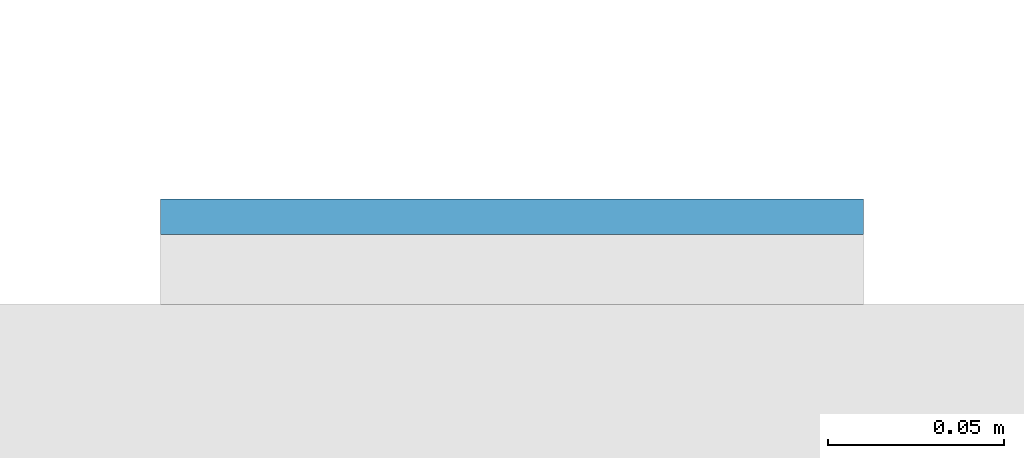
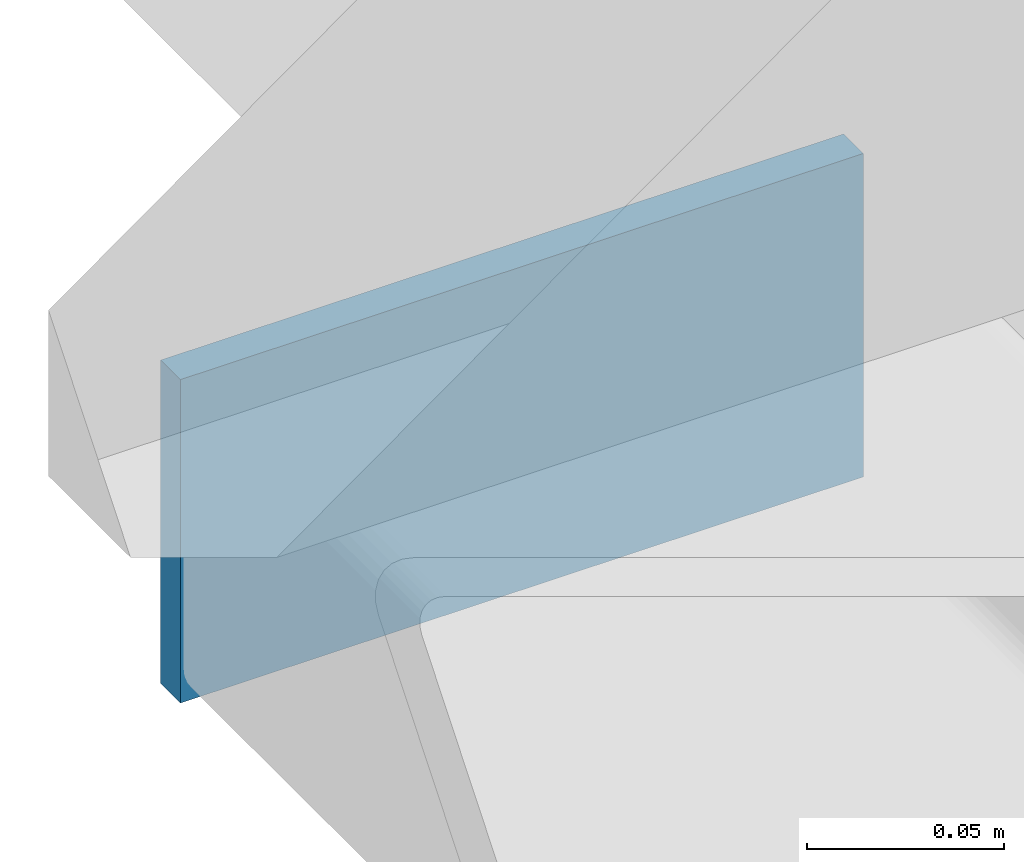
# One storey, part 9 of 20: 1 plate.
"""IFC4 building model written with IfcOpenShell, lengths in metres."""

from ifc_helpers import new_model, si_unit, direction, frame, origin, origin_2d, place, context, subcontext, project, spatial, rectangle, extrude, material, layer, layer_set, type_object, element, save


model = new_model("IFC4")

# Units and contexts
model_context = context("Model", 3, precision=1e-05, world=origin(), true_north=direction((0.0, 1.0)))
body_context = subcontext(model_context, "Body", "Model", "MODEL_VIEW")
ifc_project = project(units=[si_unit("LENGTHUNIT", "METRE"), si_unit("AREAUNIT", "SQUARE_METRE"), si_unit("VOLUMEUNIT", "CUBIC_METRE"), si_unit("PLANEANGLEUNIT", "RADIAN"), si_unit("MASSUNIT", "GRAM", prefix="KILO")], contexts=[model_context])

# Site, building, storey
site_placement = place(None, origin())
site = spatial("IfcSite", under=ifc_project, at=site_placement, CompositionType="ELEMENT")
building_placement = place(site_placement, origin())
building = spatial("IfcBuilding", under=site, at=building_placement, Name="Cleftline Residences", CompositionType="ELEMENT")
storey_placement = place(building_placement, frame((0.0, 0.0, 139.39990234375)))
storey = spatial("IfcBuildingStorey", under=building, at=storey_placement, Name="L36", CompositionType="ELEMENT", Elevation=139.39990234375)

# Plate
ifc_material = material(Name="Steel S355, hot-dip galvanised", Category="steel")
ifc_layer = layer(ifc_material, 0.010009765625)
ifc_layer_set = layer_set([ifc_layer], Name="BAGUETTE CARRIER END PLATE 200X100X10")
plate_type = type_object("IfcPlateType", Name="BAGUETTE CARRIER END PLATE 200X100X10", PredefinedType="USERDEFINED", material=ifc_layer_set)
plate_placement = place(storey_placement, frame((-0.85009765625, 44.304931640625, -0.099853515625), z_axis=(0.0, 0.0, 1.0), x_axis=(-1.0, 0.0, 0.0)))
element("IfcPlate", 1, at=plate_placement, inside=storey, type_object=plate_type, Name="Baguette carrier end plate", ObjectType="BAGUETTE CARRIER END PLATE", PredefinedType="USERDEFINED", context=body_context, shape_type="SweptSolid", body=[
    extrude(rectangle(XDim=0.199951171875, YDim=0.010009765625, at=origin_2d()), origin(), (0.0, 0.0, 1.0), 0.10009765625),
])

save(model, "model.ifc")
